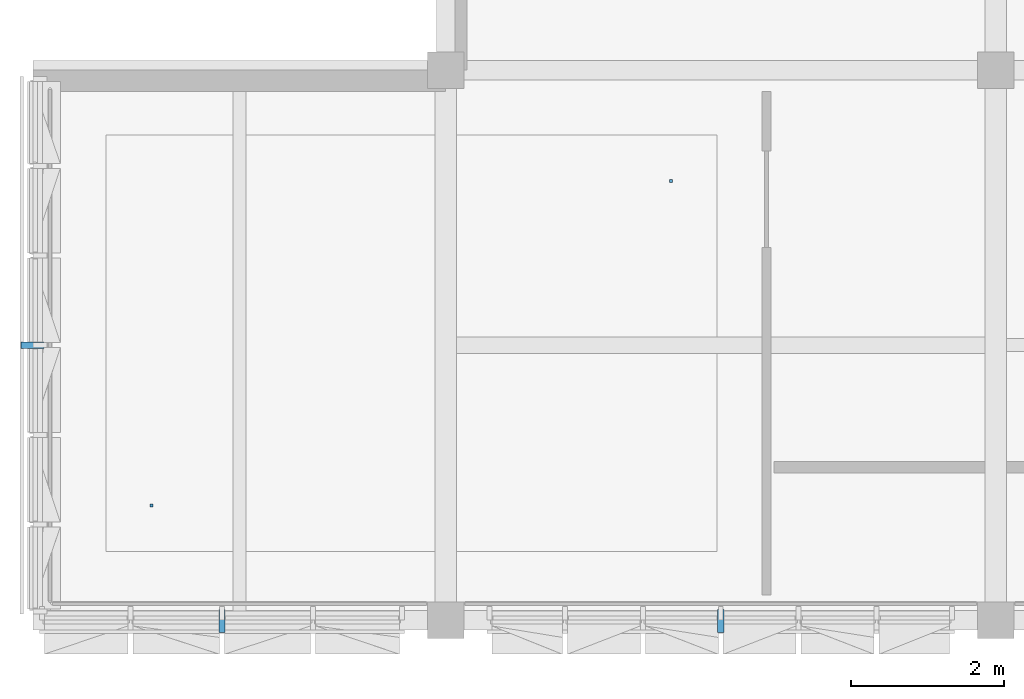
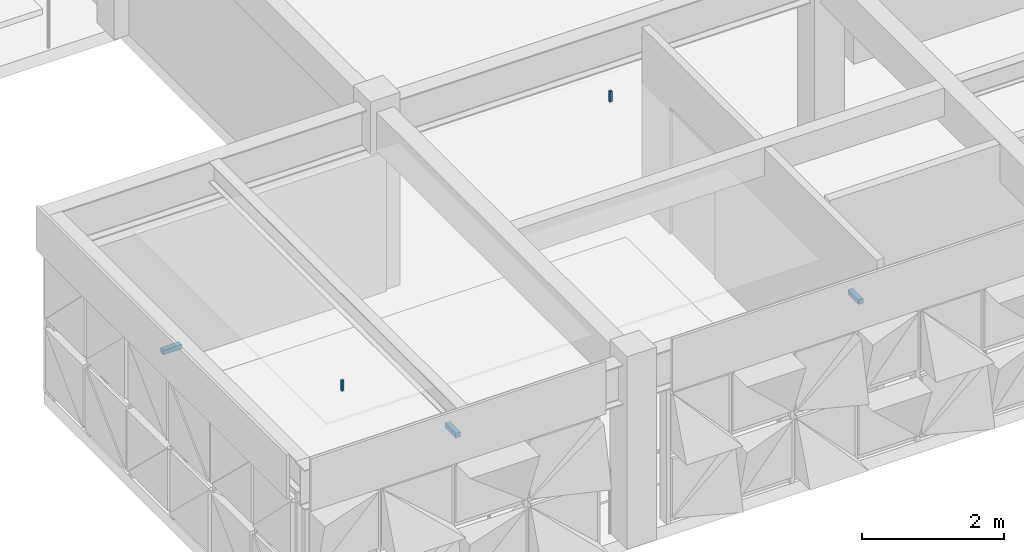
# One storey, part 25 of 35: 5 discrete accessories.
"""IFC4 building model written with IfcOpenShell, lengths in metres."""

import ifcopenshell
import ifcopenshell.guid

model = None  # the IFC model being written
_history = None  # IfcOwnerHistory: only IFC2X3 demands one
_inside = {}  # id of a spatial element -> (the spatial element, [elements in it])
_under = {}  # id of a project, library or spatial element -> (it, [spatial elements below it])
_declared = {}  # id of a project -> (the project, [libraries it declares])
_typed = {}  # id of a type object -> (the type object, [elements of that type])
_made_of = {}  # id of a material, layer set ... -> (it, [elements and type objects made of it])


def new_model(schema):
    """Start an empty IFC model of exactly this schema.

    Asked for "IFC4X3", IfcOpenShell would pick the latest addendum, in which some entities
    have other attributes; the version numbers below select the first issue.
    IFC2X3 requires an IfcOwnerHistory on every rooted entity: one is made here for all.
    """
    global model, _history
    if schema == "IFC4X3":
        model = ifcopenshell.file(schema_version=(4, 3, 0, 0))
    else:
        model = ifcopenshell.file(schema=schema)
    _inside.clear()
    _under.clear()
    _declared.clear()
    _typed.clear()
    _made_of.clear()
    _history = None
    if model.schema == "IFC2X3":
        org = make("IfcOrganization", Name="unknown")
        user = make(
            "IfcPersonAndOrganization",
            ThePerson=make("IfcPerson", FamilyName="unknown"),
            TheOrganization=org,
        )
        app = make(
            "IfcApplication",
            ApplicationDeveloper=org,
            Version="unknown",
            ApplicationFullName="unknown",
            ApplicationIdentifier="unknown",
        )
        _history = make(
            "IfcOwnerHistory",
            OwningUser=user,
            OwningApplication=app,
            ChangeAction="ADDED",
            CreationDate=0,
        )
    return model


def make(cls, **values):
    """One entity of the class cls with the attributes given. An attribute that is None is left unset."""
    return model.create_entity(
        cls, **{name: value for name, value in values.items() if value is not None}
    )


def rooted(cls, **values):
    """An entity with a GlobalId (a new one), such as an element, a storey or a relation."""
    return make(cls, GlobalId=ifcopenshell.guid.new(), OwnerHistory=_history, **values)


def si_unit(unit_type, name, prefix=None):
    """IfcSIUnit, for example si_unit("LENGTHUNIT", "METRE", prefix="MILLI")."""
    return make("IfcSIUnit", UnitType=unit_type, Prefix=prefix, Name=name)


def assignment(units):
    """IfcUnitAssignment: the units of a project."""
    return None if units is None else make("IfcUnitAssignment", Units=units)


def point(xyz):
    """IfcCartesianPoint."""
    return None if xyz is None else make("IfcCartesianPoint", Coordinates=xyz)


def direction(xyz):
    """IfcDirection."""
    return None if xyz is None else make("IfcDirection", DirectionRatios=xyz)


def frame(location, z_axis=None, x_axis=None):
    """IfcAxis2Placement3D, a coordinate frame: its origin and axes. An axis left out is left unset."""
    return make(
        "IfcAxis2Placement3D",
        Location=point(location),
        Axis=direction(z_axis),
        RefDirection=direction(x_axis),
    )


def frame_2d(location, x_axis=None):
    """IfcAxis2Placement2D, a coordinate frame in the plane: its origin and x axis."""
    return make(
        "IfcAxis2Placement2D", Location=point(location), RefDirection=direction(x_axis)
    )


def origin():
    """The frame at (0, 0, 0) with its axes left unset."""
    return frame((0.0, 0.0, 0.0))


def origin_2d():
    """The frame at (0, 0) in the plane with its x axis left unset."""
    return frame_2d((0.0, 0.0))


def place(relative_to, where):
    """IfcLocalPlacement: puts the frame where relative to a parent placement (None: the world)."""
    return make(
        "IfcLocalPlacement", PlacementRelTo=relative_to, RelativePlacement=where
    )


def context(
    kind, dimensions, precision=None, world=None, true_north=None, identifier=None
):
    """IfcGeometricRepresentationContext, for example the 3D "Model" context."""
    return make(
        "IfcGeometricRepresentationContext",
        ContextIdentifier=identifier,
        ContextType=kind,
        CoordinateSpaceDimension=dimensions,
        Precision=precision,
        WorldCoordinateSystem=world,
        TrueNorth=true_north,
    )


def subcontext(parent, identifier, kind, view, scale=None):
    """IfcGeometricRepresentationSubContext, for example "Body" below "Model"."""
    return make(
        "IfcGeometricRepresentationSubContext",
        ContextIdentifier=identifier,
        ContextType=kind,
        ParentContext=parent,
        TargetScale=scale,
        TargetView=view,
    )


def project(units=None, contexts=None):
    """IfcProject with its units and contexts."""
    return rooted(
        "IfcProject",
        Name="project",
        RepresentationContexts=contexts,
        UnitsInContext=assignment(units),
    )


def spatial(cls, under=None, at=None, **own):
    """A site, building, storey or space (cls), placed at a placement, below another one or the project."""
    s = rooted(cls, ObjectPlacement=at, **own)
    if under is not None:
        _under.setdefault(under.id(), (under, []))[1].append(s)
    return s


def profile(cls, at=None, kind="AREA", **sizes):
    """A parametric profile (cls). Its sizes go by their IFC names, for example OverallWidth=200.0."""
    return make(cls, ProfileType=kind, Position=at, **sizes)


def rectangle(**sizes):
    """IfcRectangleProfileDef."""
    return profile("IfcRectangleProfileDef", **sizes)


def extrude(swept, where, along, depth):
    """IfcExtrudedAreaSolid: the profile swept, set in the frame where, extruded along a direction by depth."""
    return make(
        "IfcExtrudedAreaSolid",
        SweptArea=swept,
        Position=where,
        ExtrudedDirection=direction(along),
        Depth=depth,
    )


def shape(context_of_items, identifier, shape_type, items):
    """IfcShapeRepresentation: the items that make up one representation, for example the "Body"."""
    return make(
        "IfcShapeRepresentation",
        ContextOfItems=context_of_items,
        RepresentationIdentifier=identifier,
        RepresentationType=shape_type,
        Items=items,
    )


def material(Name=None, Category=None):
    """IfcMaterial."""
    return make("IfcMaterial", Name=Name, Category=Category)


def made_of(thing, what):
    """Note that an element or type object is made of a material, layer set ...; save() writes the relation."""
    if what is not None:
        _made_of.setdefault(what.id(), (what, []))[1].append(thing)
    return thing


def type_object(cls, material=None, **own):
    """A type object (cls), such as IfcWallType, which elements share."""
    return made_of(rooted(cls, **own), material)


def element(
    cls,
    number,
    at=None,
    inside=None,
    cuts=None,
    type_object=None,
    material=None,
    context=None,
    identifier="Body",
    shape_type=None,
    held_by="IfcProductDefinitionShape",
    body=None,
    shapes=None,
    **own,
):
    """One element of the class cls, such as IfcWall. Its Tag is "e" and its number.

    at: its placement. inside: the storey or other place that contains it. cuts: it is an
    opening in that element (IfcRelVoidsElement). A single representation is given by context,
    identifier, shape_type and body (its items); several are given by shapes. held_by: the class
    of the entity that holds the representations. save() writes the other relations.
    """
    e = rooted(cls, Tag="e%d" % number, ObjectPlacement=at, **own)
    if body is not None:
        shapes = [shape(context, identifier, shape_type, body)]
    if shapes is not None:
        e.Representation = make(held_by, Representations=shapes)
    if inside is not None:
        _inside.setdefault(inside.id(), (inside, []))[1].append(e)
    if cuts is not None:
        rooted(
            "IfcRelVoidsElement", RelatingBuildingElement=cuts, RelatedOpeningElement=e
        )
    if type_object is not None:
        _typed.setdefault(type_object.id(), (type_object, []))[1].append(e)
    return made_of(e, material)


def aggregate(whole, parts):
    """IfcRelAggregates: a whole, such as a stair, and the parts it consists of."""
    return rooted("IfcRelAggregates", RelatingObject=whole, RelatedObjects=parts)


def save(model, path):
    """Write the relations noted so far, then the file.

    IfcRelAggregates (storeys below a building ...), IfcRelContainedInSpatialStructure (elements
    in a storey), IfcRelDefinesByType, IfcRelAssociatesMaterial and IfcRelDeclares: one each for
    every whole, place, type object, material and project.
    """
    for whole, parts in _under.values():
        aggregate(whole, parts)
    for where, things in _inside.values():
        rooted(
            "IfcRelContainedInSpatialStructure",
            RelatedElements=things,
            RelatingStructure=where,
        )
    for kind, things in _typed.values():
        rooted("IfcRelDefinesByType", RelatedObjects=things, RelatingType=kind)
    for what, things in _made_of.values():
        rooted("IfcRelAssociatesMaterial", RelatedObjects=things, RelatingMaterial=what)
    for by, libraries in _declared.values():
        rooted("IfcRelDeclares", RelatingContext=by, RelatedDefinitions=libraries)
    model.write(path)


model = new_model("IFC4")

# Units and contexts
model_context = context("Model", 3, precision=1e-05, world=origin(), true_north=direction((0.0, 1.0)))
body_context = subcontext(model_context, "Body", "Model", "MODEL_VIEW")
ifc_project = project(units=[si_unit("LENGTHUNIT", "METRE"), si_unit("AREAUNIT", "SQUARE_METRE"), si_unit("VOLUMEUNIT", "CUBIC_METRE"), si_unit("PLANEANGLEUNIT", "RADIAN"), si_unit("MASSUNIT", "GRAM", prefix="KILO")], contexts=[model_context])

# Site, building, storey
site_placement = place(None, origin())
site = spatial("IfcSite", under=ifc_project, at=site_placement, CompositionType="ELEMENT")
building_placement = place(site_placement, origin())
building = spatial("IfcBuilding", under=site, at=building_placement, Name="Alvorim Cloister Faculty of Sciences", CompositionType="ELEMENT")
storey_placement = place(building_placement, frame((0.0, 0.0, 22.949951171875)))
storey = spatial("IfcBuildingStorey", under=building, at=storey_placement, Name="L06", CompositionType="ELEMENT", Elevation=22.949951171875)

# Discrete accessories
ifc_material_1 = material(Name="Galvanised Painted Steel", Category="steel")
discrete_accessory_type_1 = type_object("IfcDiscreteAccessoryType", Name="ACC-CEIL-ROD", PredefinedType="BRACKET", material=ifc_material_1)
for number, where, z_axis, x_axis, name in (
    (1, (3.35009765625, 8.699951171875, 2.929931640625), (0.0, 0.0, 1.0), (1.0, 0.0, 0.0), "Ceiling Suspension Bracket ACC-ROD-033"),
    (2, (10.14990234375, 12.949951171875, 2.929931640625), (0.0, 0.0, 1.0), (1.0, 0.0, 0.0), "Ceiling Suspension Bracket ACC-ROD-034"),
):
    element("IfcDiscreteAccessory", number, at=place(storey_placement, frame(where, z_axis=z_axis, x_axis=x_axis)), inside=storey, type_object=discrete_accessory_type_1, Name=name, PredefinedType="BRACKET", context=body_context, shape_type="SweptSolid", body=[
        extrude(rectangle(XDim=0.0400390625, YDim=0.0400390625, at=origin_2d()), origin(), (0.0, 0.0, 1.0), 0.18017578125),
    ])
ifc_material_2 = material(Name="Aluminium Alloy 6063-T6", Category="aluminium")
discrete_accessory_type_2 = type_object("IfcDiscreteAccessoryType", Name="ACC-DIAG-BAR", PredefinedType="BRACKET", material=ifc_material_2)
for number, where, z_axis, x_axis, name in (
    (3, (1.93994140625, 10.800048828125, 2.928466796875), (-1.0, 0.0, 0.0), (0.0, -1.0, 0.0), "Slab-Edge Fascia Tie Bracket ACC-02630"),
    (4, (10.800048828125, 7.340087890625, 2.85302734375), (0.0, -1.0, 0.0), (1.0, 0.0, 0.0), "Slab-Edge Fascia Tie Bracket ACC-02886"),
    (5, (4.27001953125, 7.340087890625, 2.85302734375), (0.0, -1.0, 0.0), (1.0, 0.0, 0.0), "Slab-Edge Fascia Tie Bracket ACC-02895"),
):
    element("IfcDiscreteAccessory", number, at=place(storey_placement, frame(where, z_axis=z_axis, x_axis=x_axis)), inside=storey, type_object=discrete_accessory_type_2, Name=name, PredefinedType="BRACKET", context=body_context, shape_type="SweptSolid", body=[
        extrude(rectangle(XDim=0.080078125, YDim=0.080078125, at=origin_2d()), origin(), (0.0, 0.0, 1.0), 0.300048828125),
    ])

save(model, "model.ifc")
